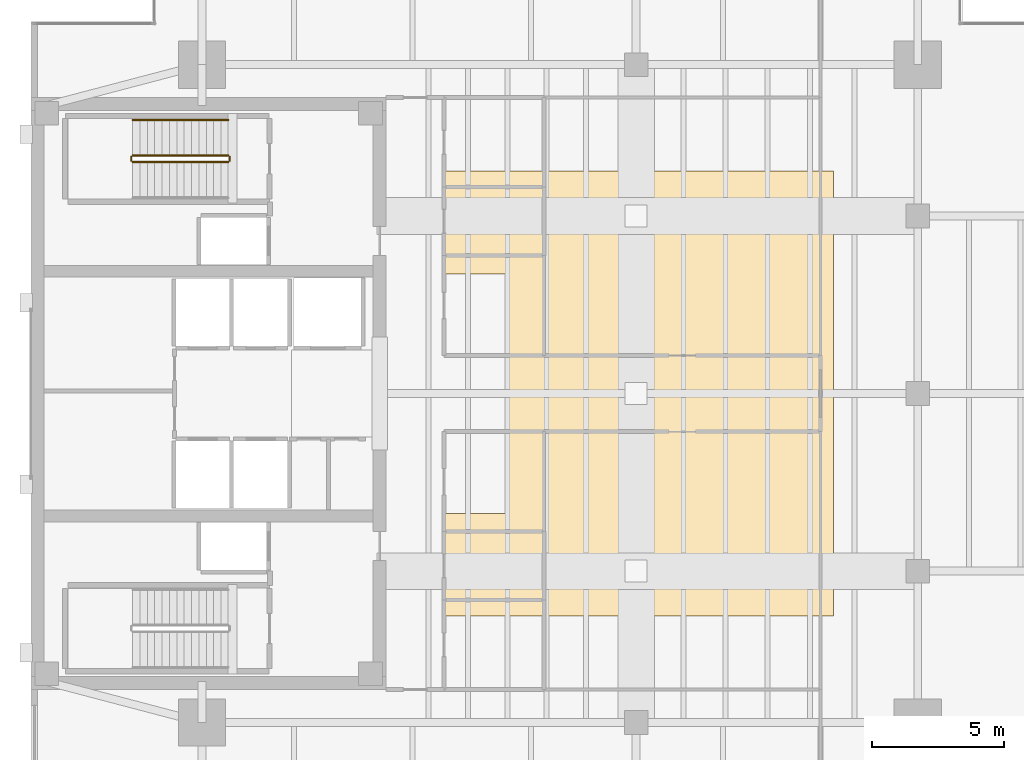
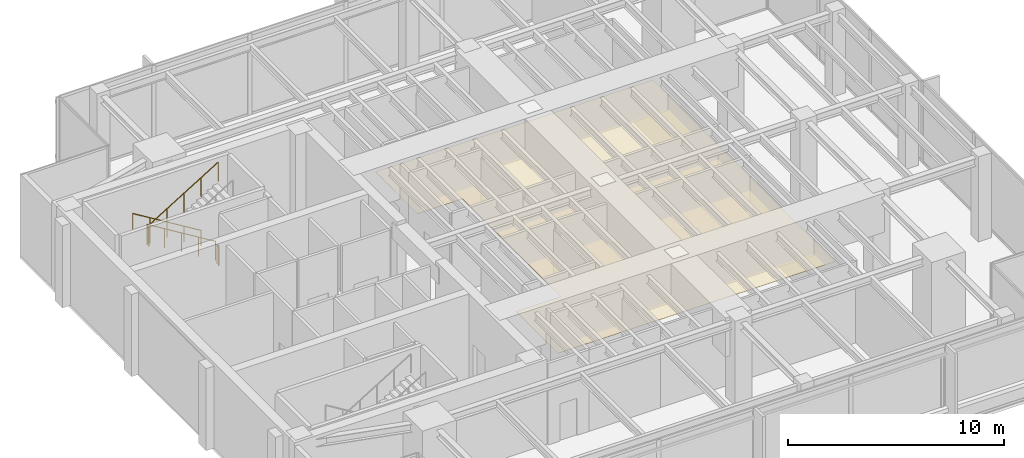
# One storey, part 13 of 14: 5 railings, 1 covering.
"""IFC4 building model written with IfcOpenShell, lengths in metres."""

from ifc_helpers import new_model, si_unit, direction, frame, origin, origin_2d, place, context, subcontext, project, spatial, polyline, circle, outline, extrude, material, layer, layer_set, type_object, element, save


model = new_model("IFC4")

# Units and contexts
model_context = context("Model", 3, precision=1e-05, world=origin(), true_north=direction((0.0, 1.0)))
body_context = subcontext(model_context, "Body", "Model", "MODEL_VIEW")
ifc_project = project(units=[si_unit("LENGTHUNIT", "METRE"), si_unit("AREAUNIT", "SQUARE_METRE"), si_unit("VOLUMEUNIT", "CUBIC_METRE"), si_unit("PLANEANGLEUNIT", "RADIAN"), si_unit("MASSUNIT", "GRAM", prefix="KILO")], contexts=[model_context])

# Site, building, storey
site_placement = place(None, origin())
site = spatial("IfcSite", under=ifc_project, at=site_placement, CompositionType="ELEMENT")
building_placement = place(site_placement, origin())
building = spatial("IfcBuilding", under=site, at=building_placement, Name="Kinhvarn Gate Tower", CompositionType="ELEMENT")
storey_placement = place(building_placement, frame((0.0, 0.0, 291.85009765625)))
storey = spatial("IfcBuildingStorey", under=building, at=storey_placement, Name="L78", CompositionType="ELEMENT", Elevation=291.85009765625)

# Covering
ifc_material_1 = material(Name="Mineral-fibre acoustic ceiling tile")
ifc_layer = layer(ifc_material_1, 0.02001953125)
ifc_layer_set = layer_set([ifc_layer], Name="Mineral-fibre acoustic ceiling tile")
covering_type = type_object("IfcCoveringType", Name="COV-CEIL-20", PredefinedType="CEILING", material=ifc_layer_set)
covering_placement = place(storey_placement, frame((0.0, 0.0, 2.64990234375)))
element("IfcCovering", 1, at=covering_placement, inside=storey, type_object=covering_type, Name="Suspended Acoustic Ceiling Tile (L78-1)", PredefinedType="CEILING", context=body_context, shape_type="SweptSolid", body=[
    extrude(outline(polyline([(35.0, 33.699951171875), (35.0, 16.800048828125), (20.199951171875, 16.800048828125), (20.199951171875, 20.699951171875), (22.60009765625, 20.699951171875), (22.60009765625, 29.800048828125), (20.199951171875, 29.800048828125), (20.199951171875, 33.699951171875), (35.0, 33.699951171875)])), origin(), (0.0, 0.0, 1.0), 0.02001953125),
])

# Railings
ifc_material_2 = material(Name="Steel S355", Category="steel")
railing_type_1 = type_object("IfcRailingType", Name="RL-ST-GRD", PredefinedType="BALUSTRADE", material=ifc_material_2)
railing_1_placement = place(storey_placement, frame((12.0, 34.300048828125, 0.17138671875)))
element("IfcRailing", 2, at=railing_1_placement, inside=storey, type_object=railing_type_1, Name="L78 ST2 stair guard 1", PredefinedType="BALUSTRADE", context=body_context, shape_type="SweptSolid", body=[
    extrude(circle(Radius=0.02392578125, at=origin_2d()), frame((0.0, 0.0, 1.076171875), z_axis=(-0.852850264322, 0.0, 0.5221555579), x_axis=(0.0, -1.0, 0.0)), (0.0, 0.0, 1.0), 4.267822265625),
    extrude(circle(Radius=0.02099609375, at=origin_2d()), origin(), (0.0, 0.0, 1.0), 1.052001953125),
    extrude(circle(Radius=0.02099609375, at=origin_2d()), frame((-0.909912109375, 0.0, 0.55712890625)), (0.0, 0.0, 1.0), 1.052001953125),
    extrude(circle(Radius=0.02099609375, at=origin_2d()), frame((-1.81982421875, 0.0, 1.1142578125)), (0.0, 0.0, 1.0), 1.052001953125),
    extrude(circle(Radius=0.02099609375, at=origin_2d()), frame((-2.72998046875, 0.0, 1.67138671875)), (0.0, 0.0, 1.0), 1.052001953125),
    extrude(circle(Radius=0.02099609375, at=origin_2d()), frame((-3.639892578125, 0.0, 2.228515625)), (0.0, 0.0, 1.0), 1.052001953125),
])
railing_2_placement = place(storey_placement, frame((8.31005859375, 34.25, 2.39990234375)))
element("IfcRailing", 3, at=railing_2_placement, inside=storey, type_object=railing_type_1, Name="L78 ST2 stair guard 2", PredefinedType="BALUSTRADE", context=body_context, shape_type="SweptSolid", body=[
    extrude(circle(Radius=0.02392578125, at=origin_2d()), frame((0.0, 0.0, 1.076171875), z_axis=(0.0, -1.0, 0.0), x_axis=(1.0, 0.0, 0.0)), (0.0, 0.0, 1.0), 0.14990234375),
    extrude(circle(Radius=0.02099609375, at=origin_2d()), origin(), (0.0, 0.0, 1.0), 1.052001953125),
    extrude(circle(Radius=0.02099609375, at=origin_2d()), frame((0.0, -0.14990234375, 0.0)), (0.0, 0.0, 1.0), 1.052001953125),
])
railing_3_placement = place(storey_placement, frame((8.360107421875, 34.050048828125, 2.5712890625)))
element("IfcRailing", 4, at=railing_3_placement, inside=storey, type_object=railing_type_1, Name="L78 ST2 stair guard 3", PredefinedType="BALUSTRADE", context=body_context, shape_type="SweptSolid", body=[
    extrude(circle(Radius=0.02392578125, at=origin_2d()), frame((0.0, 0.0, 1.076171875), z_axis=(0.852850264322, 0.0, 0.5221555579), x_axis=(0.0, 1.0, 0.0)), (0.0, 0.0, 1.0), 4.267822265625),
    extrude(circle(Radius=0.02099609375, at=origin_2d()), origin(), (0.0, 0.0, 1.0), 1.052001953125),
    extrude(circle(Radius=0.02099609375, at=origin_2d()), frame((0.909912109375, 0.0, 0.55712890625)), (0.0, 0.0, 1.0), 1.052001953125),
    extrude(circle(Radius=0.02099609375, at=origin_2d()), frame((1.81982421875, 0.0, 1.1142578125)), (0.0, 0.0, 1.0), 1.052001953125),
    extrude(circle(Radius=0.02099609375, at=origin_2d()), frame((2.72998046875, 0.0, 1.67138671875)), (0.0, 0.0, 1.0), 1.052001953125),
    extrude(circle(Radius=0.02099609375, at=origin_2d()), frame((3.639892578125, 0.0, 2.228515625)), (0.0, 0.0, 1.0), 1.052001953125),
])
railing_4_placement = place(storey_placement, frame((12.050048828125, 34.25, 0.0)))
element("IfcRailing", 5, at=railing_4_placement, inside=storey, type_object=railing_type_1, Name="L78 ST2 stair guard 4", PredefinedType="BALUSTRADE", context=body_context, shape_type="SweptSolid", body=[
    extrude(circle(Radius=0.02392578125, at=origin_2d()), frame((0.0, 0.0, 1.076171875), z_axis=(0.0, -1.0, 0.0), x_axis=(1.0, 0.0, 0.0)), (0.0, 0.0, 1.0), 0.14990234375),
    extrude(circle(Radius=0.02099609375, at=origin_2d()), origin(), (0.0, 0.0, 1.0), 1.052001953125),
    extrude(circle(Radius=0.02099609375, at=origin_2d()), frame((0.0, -0.14990234375, 0.0)), (0.0, 0.0, 1.0), 1.052001953125),
])
railing_type_2 = type_object("IfcRailingType", Name="RL-ST-HND", PredefinedType="HANDRAIL", material=ifc_material_2)
railing_5_placement = place(storey_placement, frame((12.0, 35.64990234375, 0.17138671875)))
element("IfcRailing", 6, at=railing_5_placement, inside=storey, type_object=railing_type_2, Name="L78 ST2 stair handrail 1", PredefinedType="HANDRAIL", context=body_context, shape_type="SweptSolid", body=[
    extrude(circle(Radius=0.02392578125, at=origin_2d()), frame((0.0, 0.0, 0.8759765625), z_axis=(-0.852850264322, 0.0, 0.5221555579), x_axis=(0.0, -1.0, 0.0)), (0.0, 0.0, 1.0), 4.267822265625),
    extrude(circle(Radius=0.02099609375, at=origin_2d()), origin(), (0.0, 0.0, 1.0), 0.851806640625),
    extrude(circle(Radius=0.02099609375, at=origin_2d()), frame((-0.909912109375, 0.0, 0.55712890625)), (0.0, 0.0, 1.0), 0.851806640625),
    extrude(circle(Radius=0.02099609375, at=origin_2d()), frame((-1.81982421875, 0.0, 1.1142578125)), (0.0, 0.0, 1.0), 0.851806640625),
    extrude(circle(Radius=0.02099609375, at=origin_2d()), frame((-2.72998046875, 0.0, 1.67138671875)), (0.0, 0.0, 1.0), 0.851806640625),
    extrude(circle(Radius=0.02099609375, at=origin_2d()), frame((-3.639892578125, 0.0, 2.228515625)), (0.0, 0.0, 1.0), 0.851806640625),
])

save(model, "model.ifc")
